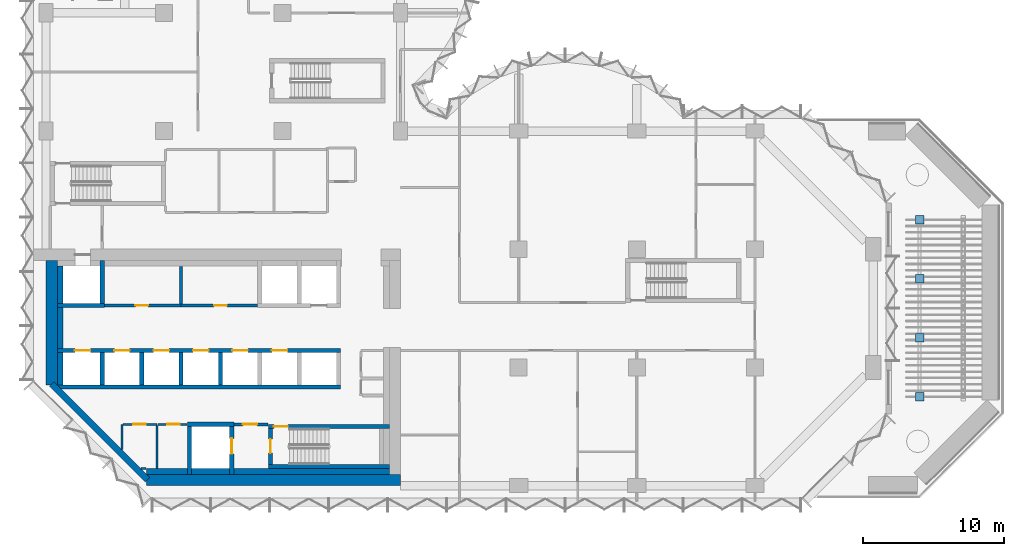
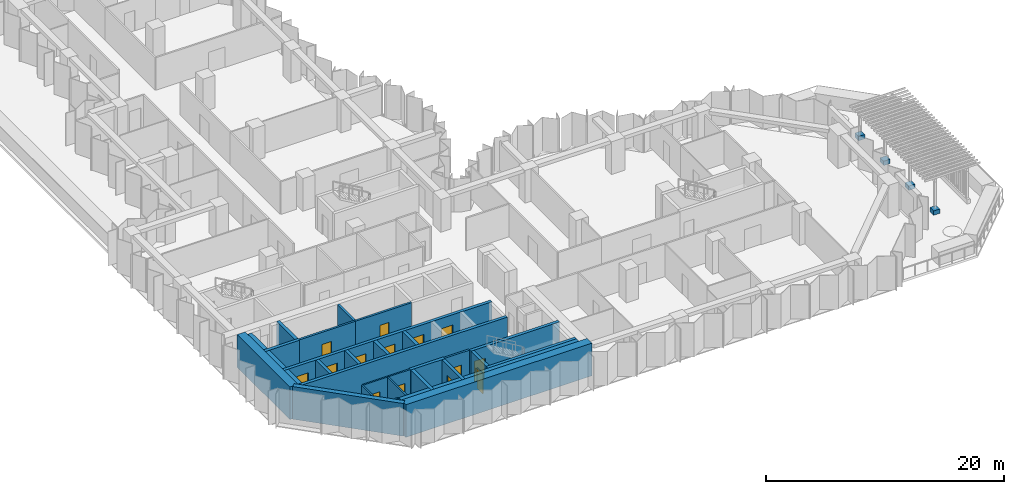
# One storey, part 10 of 18: 32 walls, 14 doors, 4 slabs, 14 openings.
"""IFC4 building model written with IfcOpenShell, lengths in metres."""

from ifc_helpers import new_model, si_unit, direction, frame, frame_2d, origin, place, context, subcontext, project, spatial, polyline, rectangle, outline, extrude, material, layer, layer_set, type_object, element, fill, save


model = new_model("IFC4")

# Units and contexts
model_context = context("Model", 3, precision=1e-05, world=origin(), true_north=direction((0.0, 1.0)))
body_context = subcontext(model_context, "Body", "Model", "MODEL_VIEW")
ifc_project = project(units=[si_unit("LENGTHUNIT", "METRE"), si_unit("AREAUNIT", "SQUARE_METRE"), si_unit("VOLUMEUNIT", "CUBIC_METRE"), si_unit("PLANEANGLEUNIT", "RADIAN"), si_unit("MASSUNIT", "GRAM", prefix="KILO")], contexts=[model_context])

# Site, building, storey
site_placement = place(None, origin())
site = spatial("IfcSite", under=ifc_project, at=site_placement, CompositionType="ELEMENT")
building_placement = place(site_placement, origin())
building = spatial("IfcBuilding", under=site, at=building_placement, Name="Brevane Broadcast Tower", CompositionType="ELEMENT")
storey_placement = place(building_placement, frame((0.0, 0.0, 134.89990234375)))
storey = spatial("IfcBuildingStorey", under=building, at=storey_placement, Name="L33", CompositionType="ELEMENT", Elevation=134.89990234375)

# Slabs
ifc_material_1 = material(Name="Concrete C30/37", Category="concrete")
ifc_layer_1 = layer(ifc_material_1, 0.449951171875)
ifc_layer_set_1 = layer_set([ifc_layer_1], Name="Sky garden trellis plinth 450")
slab_type = type_object("IfcSlabType", Name="Sky garden trellis plinth 450", PredefinedType="USERDEFINED", material=ifc_layer_set_1)
slab_1_placement = place(storey_placement, origin())
element("IfcSlab", 1, at=slab_1_placement, inside=storey, type_object=slab_type, Name="Sky garden trellis post plinth L33-1", ObjectType="PLINTH", PredefinedType="USERDEFINED", context=body_context, shape_type="SweptSolid", body=[
    extrude(outline(polyline([(61.800048828125, 6.0), (62.39990234375, 6.0), (62.39990234375, 6.60009765625), (61.800048828125, 6.60009765625), (61.800048828125, 6.0)])), origin(), (0.0, 0.0, 1.0), 0.4501953125),
])
slab_2_placement = place(storey_placement, origin())
element("IfcSlab", 2, at=slab_2_placement, inside=storey, type_object=slab_type, Name="Sky garden trellis post plinth L33-2", ObjectType="PLINTH", PredefinedType="USERDEFINED", context=body_context, shape_type="SweptSolid", body=[
    extrude(outline(polyline([(61.800048828125, 10.199951171875), (62.39990234375, 10.199951171875), (62.39990234375, 10.800048828125), (61.800048828125, 10.800048828125), (61.800048828125, 10.199951171875)])), origin(), (0.0, 0.0, 1.0), 0.4501953125),
])
slab_3_placement = place(storey_placement, origin())
element("IfcSlab", 3, at=slab_3_placement, inside=storey, type_object=slab_type, Name="Sky garden trellis post plinth L33-3", ObjectType="PLINTH", PredefinedType="USERDEFINED", context=body_context, shape_type="SweptSolid", body=[
    extrude(outline(polyline([(61.800048828125, 14.39990234375), (62.39990234375, 14.39990234375), (62.39990234375, 15.0), (61.800048828125, 15.0), (61.800048828125, 14.39990234375)])), origin(), (0.0, 0.0, 1.0), 0.4501953125),
])
slab_4_placement = place(storey_placement, origin())
element("IfcSlab", 4, at=slab_4_placement, inside=storey, type_object=slab_type, Name="Sky garden trellis post plinth L33-4", ObjectType="PLINTH", PredefinedType="USERDEFINED", context=body_context, shape_type="SweptSolid", body=[
    extrude(outline(polyline([(61.800048828125, 18.60009765625), (62.39990234375, 18.60009765625), (62.39990234375, 19.199951171875), (61.800048828125, 19.199951171875), (61.800048828125, 18.60009765625)])), origin(), (0.0, 0.0, 1.0), 0.4501953125),
])

# Walls
ifc_material_2 = material(Name="Concrete C32/40", Category="concrete")
ifc_layer_2 = layer(ifc_material_2, 0.39990234375)
ifc_layer_set_2 = layer_set([ifc_layer_2], Name="Core chase wall 400 mm")
wall_type_1 = type_object("IfcWallType", Name="Core chase wall 400 mm", PredefinedType="PARTITIONING", material=ifc_layer_set_2)
wall_1_placement = place(storey_placement, frame((1.0, 7.14990234375, 0.0), z_axis=(0.0, 0.0, 1.0), x_axis=(0.0, 1.0, 0.0)))
element("IfcWall", 5, at=wall_1_placement, inside=storey, type_object=wall_type_1, Name="L33 chase wall LW-2-1", PredefinedType="PARTITIONING", context=body_context, shape_type="SweptSolid", body=[
    extrude(rectangle(XDim=2.300048828125, YDim=0.39990234375, at=frame_2d((1.14990234375, 0.0))), origin(), (0.0, 0.0, 1.0), 3.35009765625),
])
wall_2_placement = place(storey_placement, frame((1.0, 9.75, 0.0), z_axis=(0.0, 0.0, 1.0), x_axis=(0.0, 1.0, 0.0)))
element("IfcWall", 6, at=wall_2_placement, inside=storey, type_object=wall_type_1, Name="L33 chase wall LW-2-2-1", PredefinedType="PARTITIONING", context=body_context, shape_type="SweptSolid", body=[
    extrude(rectangle(XDim=2.89990234375, YDim=0.39990234375, at=frame_2d((1.449951171875, 0.0))), origin(), (0.0, 0.0, 1.0), 3.35009765625),
])
wall_3_placement = place(storey_placement, frame((1.0, 12.949951171875, 0.0), z_axis=(0.0, 0.0, 1.0), x_axis=(0.0, 1.0, 0.0)))
element("IfcWall", 7, at=wall_3_placement, inside=storey, type_object=wall_type_1, Name="L33 chase wall LW-2-2-2", PredefinedType="PARTITIONING", context=body_context, shape_type="SweptSolid", body=[
    extrude(rectangle(XDim=2.650146484375, YDim=0.39990234375, at=frame_2d((1.3251953125, 0.0))), origin(), (0.0, 0.0, 1.0), 3.35009765625),
])
wall_4_placement = place(storey_placement, frame((7.136474609375, 1.0, 0.0), z_axis=(0.0, 0.0, 1.0), x_axis=(1.0, 0.0, 0.0)))
element("IfcWall", 8, at=wall_4_placement, inside=storey, type_object=wall_type_1, Name="L33 chase wall LS-1", PredefinedType="PARTITIONING", context=body_context, shape_type="SweptSolid", body=[
    extrude(rectangle(XDim=2.91357421875, YDim=0.39990234375, at=frame_2d((1.456787109375, 0.0))), origin(), (0.0, 0.0, 1.0), 3.35009765625),
])
wall_5_placement = place(storey_placement, frame((10.35009765625, 1.0, 0.0), z_axis=(0.0, 0.0, 1.0), x_axis=(1.0, 0.0, 0.0)))
element("IfcWall", 9, at=wall_5_placement, inside=storey, type_object=wall_type_1, Name="L33 chase wall LS-2-1", PredefinedType="PARTITIONING", context=body_context, shape_type="SweptSolid", body=[
    extrude(rectangle(XDim=2.699951171875, YDim=0.39990234375, at=frame_2d((1.35009765625, 0.0))), origin(), (0.0, 0.0, 1.0), 3.35009765625),
])
wall_6_placement = place(storey_placement, frame((13.35009765625, 1.0, 0.0), z_axis=(0.0, 0.0, 1.0), x_axis=(1.0, 0.0, 0.0)))
element("IfcWall", 10, at=wall_6_placement, inside=storey, type_object=wall_type_1, Name="L33 chase wall LS-2-2", PredefinedType="PARTITIONING", context=body_context, shape_type="SweptSolid", body=[
    extrude(rectangle(XDim=11.0498046875, YDim=0.39990234375, at=frame_2d((5.52490234375, 0.0))), origin(), (0.0, 0.0, 1.0), 3.35009765625),
])
ifc_material_3 = material(Name="Gypsum board on steel studs", Category="steel")
ifc_layer_3 = layer(ifc_material_3, 0.14990234375)
ifc_layer_set_3 = layer_set([ifc_layer_3], Name="Core fire partition 150 mm")
wall_type_2 = type_object("IfcWallType", Name="Core fire partition 150 mm", PredefinedType="PARTITIONING", material=ifc_layer_set_3)
wall_7_placement = place(storey_placement, frame((5.39990234375, 2.553466796875, 0.0), z_axis=(0.0, 0.0, 1.0), x_axis=(0.0, 1.0, 0.0)))
element("IfcWall", 11, at=wall_7_placement, inside=storey, type_object=wall_type_2, Name="L33 partition wall P10", PredefinedType="PARTITIONING", context=body_context, shape_type="SweptSolid", body=[
    extrude(rectangle(XDim=1.796630859375, YDim=0.14990234375, at=frame_2d((0.8984375, 0.0))), origin(), (0.0, 0.0, 1.0), 3.35009765625),
])

# Wall, opening, door
wall_8_placement = place(storey_placement, frame((5.47509765625, 4.35009765625, 0.0), z_axis=(0.0, 0.0, 1.0), x_axis=(1.0, 0.0, 0.0)))
wall_8 = element("IfcWall", 12, at=wall_8_placement, inside=storey, type_object=wall_type_2, Name="L33 partition wall P11", PredefinedType="PARTITIONING", context=body_context, shape_type="SweptSolid", body=[
    extrude(rectangle(XDim=2.4248046875, YDim=0.14990234375, at=frame_2d((1.21240234375, 0.0))), origin(), (0.0, 0.0, 1.0), 3.35009765625),
])
opening_1_placement = place(wall_8_placement, frame((0.72509765625, 0.0, 0.0)))
opening_1 = element("IfcOpeningElement", 13, at=opening_1_placement, cuts=wall_8, Name="Opening L33-K16", PredefinedType="OPENING", context=body_context, shape_type="SweptSolid", body=[
    extrude(rectangle(XDim=0.89990234375, YDim=2.10009765625, at=frame_2d((0.449951171875, 1.050048828125))), frame((0.0, 0.0849609375, 0.0), z_axis=(0.0, -1.0, 0.0), x_axis=(1.0, 0.0, 0.0)), (0.0, 0.0, 1.0), 0.169921875),
])
ifc_material_4 = material(Name="Timber", Category="wood")
door_type_1 = type_object("IfcDoorType", Name="Toilet door 900 x 2100", OperationType="SINGLE_SWING_LEFT", PredefinedType="DOOR", material=ifc_material_4)
door_1_placement = place(opening_1_placement, origin())
door_1 = element("IfcDoor", 14, at=door_1_placement, inside=storey, type_object=door_type_1, Name="Door L33-K16", OperationType="SINGLE_SWING_RIGHT", OverallHeight=2.10009765625, OverallWidth=0.89990234375, PredefinedType="DOOR", context=body_context, shape_type="SweptSolid", body=[
    extrude(rectangle(XDim=0.89990234375, YDim=2.10009765625, at=frame_2d((0.449951171875, 1.050048828125))), frame((0.0, 0.02490234375, 0.0), z_axis=(0.0, -1.0, 0.0), x_axis=(1.0, 0.0, 0.0)), (0.0, 0.0, 1.0), 0.050048828125),
])
fill(opening_1, door_1)

# Walls
wall_9_placement = place(storey_placement, frame((7.89990234375, 4.27490234375, 0.0), z_axis=(0.0, 0.0, 1.0), x_axis=(0.0, -1.0, 0.0)))
element("IfcWall", 15, at=wall_9_placement, inside=storey, type_object=wall_type_2, Name="L33 partition wall P12", PredefinedType="PARTITIONING", context=body_context, shape_type="SweptSolid", body=[
    extrude(rectangle(XDim=3.06298828125, YDim=0.14990234375, at=frame_2d((1.531494140625, 0.0))), origin(), (0.0, 0.0, 1.0), 3.35009765625),
])
wall_10_placement = place(storey_placement, frame((7.12451171875, 1.199951171875, 0.0), z_axis=(0.0, 0.0, 1.0), x_axis=(-1.0, 0.0, 0.0)))
element("IfcWall", 16, at=wall_10_placement, inside=storey, type_object=wall_type_2, Name="L33 partition wall P13", PredefinedType="PARTITIONING", context=body_context, shape_type="SweptSolid", body=[
    extrude(rectangle(XDim=0.37109375, YDim=0.14990234375, at=frame_2d((0.185546875, 0.0))), origin(), (0.0, 0.0, 1.0), 3.35009765625),
])

# Wall, opening, door
wall_11_placement = place(storey_placement, frame((10.0380859375, 4.35009765625, 0.0), z_axis=(0.0, 0.0, 1.0), x_axis=(-1.0, 0.0, 0.0)))
wall_11 = element("IfcWall", 17, at=wall_11_placement, inside=storey, type_object=wall_type_2, Name="L33 partition wall P14", PredefinedType="PARTITIONING", context=body_context, shape_type="SweptSolid", body=[
    extrude(rectangle(XDim=2.06298828125, YDim=0.14990234375, at=frame_2d((1.031494140625, 0.0))), origin(), (0.0, 0.0, 1.0), 3.35009765625),
])
opening_2_placement = place(wall_11_placement, frame((0.5380859375, 0.0, 0.0)))
opening_2 = element("IfcOpeningElement", 18, at=opening_2_placement, cuts=wall_11, Name="Opening L33-K17", PredefinedType="OPENING", context=body_context, shape_type="SweptSolid", body=[
    extrude(rectangle(XDim=0.89990234375, YDim=2.10009765625, at=frame_2d((0.449951171875, 1.050048828125))), frame((0.0, 0.0849609375, 0.0), z_axis=(0.0, -1.0, 0.0), x_axis=(1.0, 0.0, 0.0)), (0.0, 0.0, 1.0), 0.169921875),
])
door_2_placement = place(opening_2_placement, origin())
door_2 = element("IfcDoor", 19, at=door_2_placement, inside=storey, type_object=door_type_1, Name="Door L33-K17", OperationType="SINGLE_SWING_LEFT", OverallHeight=2.10009765625, OverallWidth=0.89990234375, PredefinedType="DOOR", context=body_context, shape_type="SweptSolid", body=[
    extrude(rectangle(XDim=0.89990234375, YDim=2.10009765625, at=frame_2d((0.449951171875, 1.050048828125))), frame((0.0, 0.02490234375, 0.0), z_axis=(0.0, -1.0, 0.0), x_axis=(1.0, 0.0, 0.0)), (0.0, 0.0, 1.0), 0.050048828125),
])
fill(opening_2, door_2)

ifc_layer_4 = layer(ifc_material_3, 0.199951171875)
ifc_layer_set_4 = layer_set([ifc_layer_4], Name="Core fire partition 200 mm")
wall_type_3 = type_object("IfcWallType", Name="Core fire partition 200 mm", PredefinedType="PARTITIONING", material=ifc_layer_set_4)
wall_12_placement = place(storey_placement, frame((13.362060546875, 4.35009765625, 0.0), z_axis=(0.0, 0.0, 1.0), x_axis=(1.0, 0.0, 0.0)))
wall_12 = element("IfcWall", 20, at=wall_12_placement, inside=storey, type_object=wall_type_3, Name="L33 partition wall P03", PredefinedType="PARTITIONING", context=body_context, shape_type="SweptSolid", body=[
    extrude(rectangle(XDim=2.426025390625, YDim=0.199951171875, at=frame_2d((1.212890625, 0.0))), origin(), (0.0, 0.0, 1.0), 3.35009765625),
])
opening_3_placement = place(wall_12_placement, frame((0.637939453125, 0.0, 0.0)))
opening_3 = element("IfcOpeningElement", 21, at=opening_3_placement, cuts=wall_12, Name="Opening L33-K18", PredefinedType="OPENING", context=body_context, shape_type="SweptSolid", body=[
    extrude(rectangle(XDim=1.0, YDim=2.10009765625, at=frame_2d((0.5, 1.050048828125))), frame((0.0, 0.10986328125, 0.0), z_axis=(0.0, -1.0, 0.0), x_axis=(1.0, 0.0, 0.0)), (0.0, 0.0, 1.0), 0.219970703125),
])
ifc_material_5 = material(Name="Steel", Category="steel")
door_type_2 = type_object("IfcDoorType", Name="Stair door 1000 x 2100", OperationType="SINGLE_SWING_LEFT", PredefinedType="DOOR", material=ifc_material_5)
door_3_placement = place(opening_3_placement, origin())
door_3 = element("IfcDoor", 22, at=door_3_placement, inside=storey, type_object=door_type_2, Name="Door L33-K18", OperationType="SINGLE_SWING_RIGHT", OverallHeight=2.10009765625, OverallWidth=1.0, PredefinedType="DOOR", context=body_context, shape_type="SweptSolid", body=[
    extrude(rectangle(XDim=1.0, YDim=2.10009765625, at=frame_2d((0.5, 1.050048828125))), frame((0.0, 0.02490234375, 0.0), z_axis=(0.0, -1.0, 0.0), x_axis=(1.0, 0.0, 0.0)), (0.0, 0.0, 1.0), 0.050048828125),
])
fill(opening_3, door_3)

wall_13_placement = place(storey_placement, frame((4.162109375, 12.800048828125, 0.0), z_axis=(0.0, 0.0, 1.0), x_axis=(1.0, 0.0, 0.0)))
wall_13 = element("IfcWall", 23, at=wall_13_placement, inside=storey, type_object=wall_type_3, Name="L33 partition wall P04", PredefinedType="PARTITIONING", context=body_context, shape_type="SweptSolid", body=[
    extrude(rectangle(XDim=5.43798828125, YDim=0.199951171875, at=frame_2d((2.718994140625, 0.0))), origin(), (0.0, 0.0, 1.0), 3.35009765625),
])
opening_4_placement = place(wall_13_placement, frame((2.18798828125, 0.0, 0.0)))
opening_4 = element("IfcOpeningElement", 24, at=opening_4_placement, cuts=wall_13, Name="Opening L33-K21", PredefinedType="OPENING", context=body_context, shape_type="SweptSolid", body=[
    extrude(rectangle(XDim=0.89990234375, YDim=2.10009765625, at=frame_2d((0.449951171875, 1.050048828125))), frame((0.0, 0.10986328125, 0.0), z_axis=(0.0, -1.0, 0.0), x_axis=(1.0, 0.0, 0.0)), (0.0, 0.0, 1.0), 0.219970703125),
])
door_type_3 = type_object("IfcDoorType", Name="Service room door 900 x 2100", OperationType="SINGLE_SWING_LEFT", PredefinedType="DOOR", material=ifc_material_5)
door_4_placement = place(opening_4_placement, origin())
door_4 = element("IfcDoor", 25, at=door_4_placement, inside=storey, type_object=door_type_3, Name="Door L33-K21", OperationType="SINGLE_SWING_LEFT", OverallHeight=2.10009765625, OverallWidth=0.89990234375, PredefinedType="DOOR", context=body_context, shape_type="SweptSolid", body=[
    extrude(rectangle(XDim=0.89990234375, YDim=2.10009765625, at=frame_2d((0.449951171875, 1.050048828125))), frame((0.0, 0.02490234375, 0.0), z_axis=(0.0, -1.0, 0.0), x_axis=(1.0, 0.0, 0.0)), (0.0, 0.0, 1.0), 0.050048828125),
])
fill(opening_4, door_4)

wall_14_placement = place(storey_placement, frame((9.60009765625, 12.800048828125, 0.0), z_axis=(0.0, 0.0, 1.0), x_axis=(1.0, 0.0, 0.0)))
wall_14 = element("IfcWall", 26, at=wall_14_placement, inside=storey, type_object=wall_type_3, Name="L33 partition wall P05", PredefinedType="PARTITIONING", context=body_context, shape_type="SweptSolid", body=[
    extrude(rectangle(XDim=5.43798828125, YDim=0.199951171875, at=frame_2d((2.718994140625, 0.0))), origin(), (0.0, 0.0, 1.0), 3.35009765625),
])
opening_5_placement = place(wall_14_placement, frame((2.35009765625, 0.0, 0.0)))
opening_5 = element("IfcOpeningElement", 27, at=opening_5_placement, cuts=wall_14, Name="Opening L33-K22", PredefinedType="OPENING", context=body_context, shape_type="SweptSolid", body=[
    extrude(rectangle(XDim=0.89990234375, YDim=2.10009765625, at=frame_2d((0.449951171875, 1.050048828125))), frame((0.0, 0.10986328125, 0.0), z_axis=(0.0, -1.0, 0.0), x_axis=(1.0, 0.0, 0.0)), (0.0, 0.0, 1.0), 0.219970703125),
])
door_5_placement = place(opening_5_placement, origin())
door_5 = element("IfcDoor", 28, at=door_5_placement, inside=storey, type_object=door_type_3, Name="Door L33-K22", OperationType="SINGLE_SWING_RIGHT", OverallHeight=2.10009765625, OverallWidth=0.89990234375, PredefinedType="DOOR", context=body_context, shape_type="SweptSolid", body=[
    extrude(rectangle(XDim=0.89990234375, YDim=2.10009765625, at=frame_2d((0.449951171875, 1.050048828125))), frame((0.0, 0.02490234375, 0.0), z_axis=(0.0, -1.0, 0.0), x_axis=(1.0, 0.0, 0.0)), (0.0, 0.0, 1.0), 0.050048828125),
])
fill(opening_5, door_5)

# Walls
wall_15_placement = place(storey_placement, frame((9.60009765625, 15.587890625, 0.0), z_axis=(0.0, 0.0, 1.0), x_axis=(0.0, -1.0, 0.0)))
element("IfcWall", 29, at=wall_15_placement, inside=storey, type_object=wall_type_3, Name="L33 partition wall P06", PredefinedType="PARTITIONING", context=body_context, shape_type="SweptSolid", body=[
    extrude(rectangle(XDim=2.68798828125, YDim=0.199951171875, at=frame_2d((1.343994140625, 0.0))), origin(), (0.0, 0.0, 1.0), 3.35009765625),
])
ifc_material_6 = material(Name="Concrete C60/75", Category="concrete")
ifc_layer_5 = layer(ifc_material_6, 0.300048828125)
ifc_layer_set_5 = layer_set([ifc_layer_5], Name="Core wall 300 mm C60/75")
wall_type_4 = type_object("IfcWallType", Name="Core wall 300 mm C60/75", PredefinedType="SHEAR", material=ifc_layer_set_5)
wall_16_placement = place(storey_placement, frame((0.800048828125, 7.0, 0.0), z_axis=(0.0, 0.0, 1.0), x_axis=(1.0, 0.0, 0.0)))
element("IfcWall", 30, at=wall_16_placement, inside=storey, type_object=wall_type_4, Name="L33 shaft wall SH-S012-back", PredefinedType="SHEAR", context=body_context, shape_type="SweptSolid", body=[
    extrude(rectangle(XDim=20.14990234375, YDim=0.300048828125, at=frame_2d((10.074951171875, 0.0))), origin(), (0.0, 0.0, 1.0), 3.35009765625),
])

# Wall, openings, doors
wall_17_placement = place(storey_placement, frame((0.800048828125, 9.60009765625, 0.0), z_axis=(0.0, 0.0, 1.0), x_axis=(1.0, 0.0, 0.0)))
wall_17 = element("IfcWall", 31, at=wall_17_placement, inside=storey, type_object=wall_type_4, Name="L33 shaft wall SH-S012-front", PredefinedType="SHEAR", context=body_context, shape_type="SweptSolid", body=[
    extrude(rectangle(XDim=20.14990234375, YDim=0.300048828125, at=frame_2d((10.074951171875, 0.0))), origin(), (0.0, 0.0, 1.0), 3.35009765625),
])
opening_6_placement = place(wall_17_placement, frame((1.25, 0.0, 0.0)))
opening_6 = element("IfcOpeningElement", 32, at=opening_6_placement, cuts=wall_17, Name="Opening LD", PredefinedType="OPENING", context=body_context, shape_type="SweptSolid", body=[
    extrude(rectangle(XDim=1.10009765625, YDim=2.300048828125, at=frame_2d((0.550048828125, 1.14990234375))), frame((0.0, 0.159912109375, 0.0), z_axis=(0.0, -1.0, 0.0), x_axis=(1.0, 0.0, 0.0)), (0.0, 0.0, 1.0), 0.320068359375),
])
opening_7_placement = place(wall_17_placement, frame((4.050048828125, 0.0, 0.0)))
opening_7 = element("IfcOpeningElement", 33, at=opening_7_placement, cuts=wall_17, Name="Opening LD", PredefinedType="OPENING", context=body_context, shape_type="SweptSolid", body=[
    extrude(rectangle(XDim=1.10009765625, YDim=2.300048828125, at=frame_2d((0.550048828125, 1.14990234375))), frame((0.0, 0.159912109375, 0.0), z_axis=(0.0, -1.0, 0.0), x_axis=(1.0, 0.0, 0.0)), (0.0, 0.0, 1.0), 0.320068359375),
])
opening_8_placement = place(wall_17_placement, frame((6.85009765625, 0.0, 0.0)))
opening_8 = element("IfcOpeningElement", 34, at=opening_8_placement, cuts=wall_17, Name="Opening LD", PredefinedType="OPENING", context=body_context, shape_type="SweptSolid", body=[
    extrude(rectangle(XDim=1.10009765625, YDim=2.300048828125, at=frame_2d((0.550048828125, 1.14990234375))), frame((0.0, 0.159912109375, 0.0), z_axis=(0.0, -1.0, 0.0), x_axis=(1.0, 0.0, 0.0)), (0.0, 0.0, 1.0), 0.320068359375),
])
opening_9_placement = place(wall_17_placement, frame((9.64990234375, 0.0, 0.0)))
opening_9 = element("IfcOpeningElement", 35, at=opening_9_placement, cuts=wall_17, Name="Opening LD", PredefinedType="OPENING", context=body_context, shape_type="SweptSolid", body=[
    extrude(rectangle(XDim=1.10009765625, YDim=2.300048828125, at=frame_2d((0.550048828125, 1.14990234375))), frame((0.0, 0.159912109375, 0.0), z_axis=(0.0, -1.0, 0.0), x_axis=(1.0, 0.0, 0.0)), (0.0, 0.0, 1.0), 0.320068359375),
])
opening_10_placement = place(wall_17_placement, frame((12.449951171875, 0.0, 0.0)))
opening_10 = element("IfcOpeningElement", 36, at=opening_10_placement, cuts=wall_17, Name="Opening LD", PredefinedType="OPENING", context=body_context, shape_type="SweptSolid", body=[
    extrude(rectangle(XDim=1.10009765625, YDim=2.300048828125, at=frame_2d((0.550048828125, 1.14990234375))), frame((0.0, 0.159912109375, 0.0), z_axis=(0.0, -1.0, 0.0), x_axis=(1.0, 0.0, 0.0)), (0.0, 0.0, 1.0), 0.320068359375),
])
opening_11_placement = place(wall_17_placement, frame((15.25, 0.0, 0.0)))
opening_11 = element("IfcOpeningElement", 37, at=opening_11_placement, cuts=wall_17, Name="Opening LD", PredefinedType="OPENING", context=body_context, shape_type="SweptSolid", body=[
    extrude(rectangle(XDim=1.10009765625, YDim=2.300048828125, at=frame_2d((0.550048828125, 1.14990234375))), frame((0.0, 0.159912109375, 0.0), z_axis=(0.0, -1.0, 0.0), x_axis=(1.0, 0.0, 0.0)), (0.0, 0.0, 1.0), 0.320068359375),
])
ifc_material_7 = material(Name="Stainless steel", Category="steel")
door_type_4 = type_object("IfcDoorType", Name="Lift landing door", OperationType="SLIDING_TO_LEFT", PredefinedType="DOOR", material=ifc_material_7)
door_6_placement = place(opening_6_placement, origin())
door_6 = element("IfcDoor", 38, at=door_6_placement, inside=storey, type_object=door_type_4, Name="Landing door LR1 L33", OperationType="SLIDING_TO_LEFT", OverallHeight=2.300048828125, OverallWidth=1.10009765625, PredefinedType="DOOR", context=body_context, shape_type="SweptSolid", body=[
    extrude(rectangle(XDim=1.10009765625, YDim=2.300048828125, at=frame_2d((0.550048828125, 1.14990234375))), frame((0.0, 0.02490234375, 0.0), z_axis=(0.0, -1.0, 0.0), x_axis=(1.0, 0.0, 0.0)), (0.0, 0.0, 1.0), 0.050048828125),
])
fill(opening_6, door_6)
door_7_placement = place(opening_7_placement, origin())
door_7 = element("IfcDoor", 39, at=door_7_placement, inside=storey, type_object=door_type_4, Name="Landing door LR2 L33", OperationType="SLIDING_TO_LEFT", OverallHeight=2.300048828125, OverallWidth=1.10009765625, PredefinedType="DOOR", context=body_context, shape_type="SweptSolid", body=[
    extrude(rectangle(XDim=1.10009765625, YDim=2.300048828125, at=frame_2d((0.550048828125, 1.14990234375))), frame((0.0, 0.02490234375, 0.0), z_axis=(0.0, -1.0, 0.0), x_axis=(1.0, 0.0, 0.0)), (0.0, 0.0, 1.0), 0.050048828125),
])
fill(opening_7, door_7)
door_8_placement = place(opening_8_placement, origin())
door_8 = element("IfcDoor", 40, at=door_8_placement, inside=storey, type_object=door_type_4, Name="Landing door LR3 L33", OperationType="SLIDING_TO_LEFT", OverallHeight=2.300048828125, OverallWidth=1.10009765625, PredefinedType="DOOR", context=body_context, shape_type="SweptSolid", body=[
    extrude(rectangle(XDim=1.10009765625, YDim=2.300048828125, at=frame_2d((0.550048828125, 1.14990234375))), frame((0.0, 0.02490234375, 0.0), z_axis=(0.0, -1.0, 0.0), x_axis=(1.0, 0.0, 0.0)), (0.0, 0.0, 1.0), 0.050048828125),
])
fill(opening_8, door_8)
door_9_placement = place(opening_9_placement, origin())
door_9 = element("IfcDoor", 41, at=door_9_placement, inside=storey, type_object=door_type_4, Name="Landing door LR4 L33", OperationType="SLIDING_TO_LEFT", OverallHeight=2.300048828125, OverallWidth=1.10009765625, PredefinedType="DOOR", context=body_context, shape_type="SweptSolid", body=[
    extrude(rectangle(XDim=1.10009765625, YDim=2.300048828125, at=frame_2d((0.550048828125, 1.14990234375))), frame((0.0, 0.02490234375, 0.0), z_axis=(0.0, -1.0, 0.0), x_axis=(1.0, 0.0, 0.0)), (0.0, 0.0, 1.0), 0.050048828125),
])
fill(opening_9, door_9)
door_10_placement = place(opening_10_placement, origin())
door_10 = element("IfcDoor", 42, at=door_10_placement, inside=storey, type_object=door_type_4, Name="Landing door LR5 L33", OperationType="SLIDING_TO_LEFT", OverallHeight=2.300048828125, OverallWidth=1.10009765625, PredefinedType="DOOR", context=body_context, shape_type="SweptSolid", body=[
    extrude(rectangle(XDim=1.10009765625, YDim=2.300048828125, at=frame_2d((0.550048828125, 1.14990234375))), frame((0.0, 0.02490234375, 0.0), z_axis=(0.0, -1.0, 0.0), x_axis=(1.0, 0.0, 0.0)), (0.0, 0.0, 1.0), 0.050048828125),
])
fill(opening_10, door_10)
door_11_placement = place(opening_11_placement, origin())
door_11 = element("IfcDoor", 43, at=door_11_placement, inside=storey, type_object=door_type_4, Name="Landing door LR6 L33", OperationType="SLIDING_TO_LEFT", OverallHeight=2.300048828125, OverallWidth=1.10009765625, PredefinedType="DOOR", context=body_context, shape_type="SweptSolid", body=[
    extrude(rectangle(XDim=1.10009765625, YDim=2.300048828125, at=frame_2d((0.550048828125, 1.14990234375))), frame((0.0, 0.02490234375, 0.0), z_axis=(0.0, -1.0, 0.0), x_axis=(1.0, 0.0, 0.0)), (0.0, 0.0, 1.0), 0.050048828125),
])
fill(opening_11, door_11)

# Walls
for number, where, z_axis, x_axis, name in (
    (44, (4.0, 7.14990234375, 0.0), (0.0, 0.0, 1.0), (0.0, 1.0, 0.0), "L33 shaft wall SH-S-P040"),
    (45, (6.800048828125, 7.14990234375, 0.0), (0.0, 0.0, 1.0), (0.0, 1.0, 0.0), "L33 shaft wall SH-S-P068"),
    (46, (9.60009765625, 7.14990234375, 0.0), (0.0, 0.0, 1.0), (0.0, 1.0, 0.0), "L33 shaft wall SH-S-P096"),
    (47, (12.39990234375, 7.14990234375, 0.0), (0.0, 0.0, 1.0), (0.0, 1.0, 0.0), "L33 shaft wall SH-S-P124"),
):
    element("IfcWall", number, at=place(storey_placement, frame(where, z_axis=z_axis, x_axis=x_axis)), inside=storey, type_object=wall_type_4, Name=name, PredefinedType="SHEAR", context=body_context, shape_type="SweptSolid", body=[
        extrude(rectangle(XDim=2.300048828125, YDim=0.300048828125, at=frame_2d((1.14990234375, 0.0))), origin(), (0.0, 0.0, 1.0), 3.35009765625),
    ])
wall_18_placement = place(storey_placement, frame((0.800048828125, 12.800048828125, 0.0), z_axis=(0.0, 0.0, 1.0), x_axis=(1.0, 0.0, 0.0)))
element("IfcWall", 48, at=wall_18_placement, inside=storey, type_object=wall_type_4, Name="L33 shaft wall SH-N012-front", PredefinedType="SHEAR", context=body_context, shape_type="SweptSolid", body=[
    extrude(rectangle(XDim=3.349853515625, YDim=0.300048828125, at=frame_2d((1.6748046875, 0.0))), origin(), (0.0, 0.0, 1.0), 3.35009765625),
])
wall_19_placement = place(storey_placement, frame((4.0, 12.949951171875, 0.0), z_axis=(0.0, 0.0, 1.0), x_axis=(0.0, 1.0, 0.0)))
element("IfcWall", 49, at=wall_19_placement, inside=storey, type_object=wall_type_4, Name="L33 shaft wall SH-N-P040", PredefinedType="SHEAR", context=body_context, shape_type="SweptSolid", body=[
    extrude(rectangle(XDim=3.050048828125, YDim=0.300048828125, at=frame_2d((1.52490234375, 0.0))), origin(), (0.0, 0.0, 1.0), 3.35009765625),
])
wall_20_placement = place(storey_placement, frame((10.199951171875, 0.800048828125, 0.0), z_axis=(0.0, 0.0, 1.0), x_axis=(0.0, 1.0, 0.0)))
element("IfcWall", 50, at=wall_20_placement, inside=storey, type_object=wall_type_4, Name="L33 shaft wall FF2-W", PredefinedType="SHEAR", context=body_context, shape_type="SweptSolid", body=[
    extrude(rectangle(XDim=3.39990234375, YDim=0.300048828125, at=frame_2d((1.699951171875, 0.0))), origin(), (0.0, 0.0, 1.0), 3.35009765625),
])

# Wall, opening, door
wall_21_placement = place(storey_placement, frame((13.199951171875, 0.800048828125, 0.0), z_axis=(0.0, 0.0, 1.0), x_axis=(0.0, 1.0, 0.0)))
wall_21 = element("IfcWall", 51, at=wall_21_placement, inside=storey, type_object=wall_type_4, Name="L33 shaft wall FF2-E", PredefinedType="SHEAR", context=body_context, shape_type="SweptSolid", body=[
    extrude(rectangle(XDim=3.39990234375, YDim=0.300048828125, at=frame_2d((1.699951171875, 0.0))), origin(), (0.0, 0.0, 1.0), 3.35009765625),
])
opening_12_placement = place(wall_21_placement, frame((1.449951171875, 0.0, 0.0)))
opening_12 = element("IfcOpeningElement", 52, at=opening_12_placement, cuts=wall_21, Name="Opening LD", PredefinedType="OPENING", context=body_context, shape_type="SweptSolid", body=[
    extrude(rectangle(XDim=1.10009765625, YDim=2.300048828125, at=frame_2d((0.550048828125, 1.14990234375))), frame((0.0, 0.159912109375, 0.0), z_axis=(0.0, -1.0, 0.0), x_axis=(1.0, 0.0, 0.0)), (0.0, 0.0, 1.0), 0.320068359375),
])
door_12_placement = place(opening_12_placement, origin())
door_12 = element("IfcDoor", 53, at=door_12_placement, inside=storey, type_object=door_type_4, Name="Landing door FF2 L33", OperationType="SLIDING_TO_LEFT", OverallHeight=2.300048828125, OverallWidth=1.10009765625, PredefinedType="DOOR", context=body_context, shape_type="SweptSolid", body=[
    extrude(rectangle(XDim=1.10009765625, YDim=2.300048828125, at=frame_2d((0.550048828125, 1.14990234375))), frame((0.0, 0.02490234375, 0.0), z_axis=(0.0, -1.0, 0.0), x_axis=(1.0, 0.0, 0.0)), (0.0, 0.0, 1.0), 0.050048828125),
])
fill(opening_12, door_12)

# Walls
wall_22_placement = place(storey_placement, frame((10.050048828125, 4.35009765625, 0.0), z_axis=(0.0, 0.0, 1.0), x_axis=(1.0, 0.0, 0.0)))
element("IfcWall", 54, at=wall_22_placement, inside=storey, type_object=wall_type_4, Name="L33 shaft wall FF2-N", PredefinedType="SHEAR", context=body_context, shape_type="SweptSolid", body=[
    extrude(rectangle(XDim=3.300048828125, YDim=0.300048828125, at=frame_2d((1.64990234375, 0.0))), origin(), (0.0, 0.0, 1.0), 3.35009765625),
])
wall_23_placement = place(storey_placement, frame((15.800048828125, 1.35009765625, 0.0), z_axis=(0.0, 0.0, 1.0), x_axis=(1.0, 0.0, 0.0)))
element("IfcWall", 55, at=wall_23_placement, inside=storey, type_object=wall_type_4, Name="L33 stair wall ST-2-S", PredefinedType="SHEAR", context=body_context, shape_type="SweptSolid", body=[
    extrude(rectangle(XDim=8.599853515625, YDim=0.300048828125, at=frame_2d((4.2998046875, 0.0))), origin(), (0.0, 0.0, 1.0), 3.35009765625),
])

# Wall, opening, door
wall_24_placement = place(storey_placement, frame((15.800048828125, 4.199951171875, 0.0), z_axis=(0.0, 0.0, 1.0), x_axis=(1.0, 0.0, 0.0)))
wall_24 = element("IfcWall", 56, at=wall_24_placement, inside=storey, type_object=wall_type_4, Name="L33 stair wall ST-2-N", PredefinedType="SHEAR", context=body_context, shape_type="SweptSolid", body=[
    extrude(rectangle(XDim=8.599853515625, YDim=0.300048828125, at=frame_2d((4.2998046875, 0.0))), origin(), (0.0, 0.0, 1.0), 3.35009765625),
])
opening_13_placement = place(wall_24_placement, frame((0.39990234375, 0.0, 0.0)))
opening_13 = element("IfcOpeningElement", 57, at=opening_13_placement, cuts=wall_24, Name="Opening L33-K13", PredefinedType="OPENING", context=body_context, shape_type="SweptSolid", body=[
    extrude(rectangle(XDim=1.0, YDim=2.10009765625, at=frame_2d((0.5, 1.050048828125))), frame((0.0, 0.159912109375, 0.0), z_axis=(0.0, -1.0, 0.0), x_axis=(1.0, 0.0, 0.0)), (0.0, 0.0, 1.0), 0.320068359375),
])
door_13_placement = place(opening_13_placement, origin())
door_13 = element("IfcDoor", 58, at=door_13_placement, inside=storey, type_object=door_type_2, Name="Door L33-K13", OperationType="SINGLE_SWING_LEFT", OverallHeight=2.10009765625, OverallWidth=1.0, PredefinedType="DOOR", context=body_context, shape_type="SweptSolid", body=[
    extrude(rectangle(XDim=1.0, YDim=2.10009765625, at=frame_2d((0.5, 1.050048828125))), frame((0.0, 0.02490234375, 0.0), z_axis=(0.0, -1.0, 0.0), x_axis=(1.0, 0.0, 0.0)), (0.0, 0.0, 1.0), 0.050048828125),
])
fill(opening_13, door_13)

wall_25_placement = place(storey_placement, frame((15.949951171875, 1.5, 0.0), z_axis=(0.0, 0.0, 1.0), x_axis=(0.0, 1.0, 0.0)))
wall_25 = element("IfcWall", 59, at=wall_25_placement, inside=storey, type_object=wall_type_4, Name="L33 stair wall ST-2-W", PredefinedType="SHEAR", context=body_context, shape_type="SweptSolid", body=[
    extrude(rectangle(XDim=2.550048828125, YDim=0.300048828125, at=frame_2d((1.27490234375, 0.0))), origin(), (0.0, 0.0, 1.0), 3.35009765625),
])
opening_14_placement = place(wall_25_placement, frame((0.800048828125, 0.0, 0.0)))
opening_14 = element("IfcOpeningElement", 60, at=opening_14_placement, cuts=wall_25, Name="Opening L33-K12", PredefinedType="OPENING", context=body_context, shape_type="SweptSolid", body=[
    extrude(rectangle(XDim=1.0, YDim=2.10009765625, at=frame_2d((0.5, 1.050048828125))), frame((0.0, 0.159912109375, 0.0), z_axis=(0.0, -1.0, 0.0), x_axis=(1.0, 0.0, 0.0)), (0.0, 0.0, 1.0), 0.320068359375),
])
door_14_placement = place(opening_14_placement, origin())
door_14 = element("IfcDoor", 61, at=door_14_placement, inside=storey, type_object=door_type_2, Name="Door L33-K12", OperationType="SINGLE_SWING_RIGHT", OverallHeight=2.10009765625, OverallWidth=1.0, PredefinedType="DOOR", context=body_context, shape_type="SweptSolid", body=[
    extrude(rectangle(XDim=1.0, YDim=2.10009765625, at=frame_2d((0.5, 1.050048828125))), frame((0.0, 0.02490234375, 0.0), z_axis=(0.0, -1.0, 0.0), x_axis=(1.0, 0.0, 0.0)), (0.0, 0.0, 1.0), 0.050048828125),
])
fill(opening_14, door_14)

# Walls
ifc_layer_6 = layer(ifc_material_6, 0.449951171875)
ifc_layer_set_6 = layer_set([ifc_layer_6], Name="Core wall 450 mm C60/75")
wall_type_5 = type_object("IfcWallType", Name="Core wall 450 mm C60/75", PredefinedType="SHEAR", material=ifc_layer_set_6)
wall_26_placement = place(storey_placement, frame((0.39990234375, 7.21826171875, 0.0), z_axis=(0.0, 0.0, 1.0), x_axis=(0.707106781187, -0.707106781187, 0.0)))
element("IfcWall", 62, at=wall_26_placement, inside=storey, type_object=wall_type_5, Name="L33 outer wall WC", PredefinedType="SHEAR", context=body_context, shape_type="SweptSolid", body=[
    extrude(rectangle(XDim=9.642578125, YDim=0.449951171875, at=frame_2d((4.8212890625, 0.0))), origin(), (0.0, 0.0, 1.0), 3.35009765625),
])
ifc_layer_7 = layer(ifc_material_6, 0.800048828125)
ifc_layer_set_7 = layer_set([ifc_layer_7], Name="Core wall 800 mm C60/75")
wall_type_6 = type_object("IfcWallType", Name="Core wall 800 mm C60/75", PredefinedType="SHEAR", material=ifc_layer_set_7)
wall_27_placement = place(storey_placement, frame((7.136474609375, 0.39990234375, 0.0), z_axis=(0.0, 0.0, 1.0), x_axis=(1.0, 0.0, 0.0)))
element("IfcWall", 63, at=wall_27_placement, inside=storey, type_object=wall_type_6, Name="L33 outer wall WS", PredefinedType="SHEAR", context=body_context, shape_type="SweptSolid", body=[
    extrude(rectangle(XDim=18.0634765625, YDim=0.800048828125, at=frame_2d((9.03173828125, 0.0))), origin(), (0.0, 0.0, 1.0), 3.35009765625),
])
wall_28_placement = place(storey_placement, frame((0.39990234375, 7.136474609375, 0.0), z_axis=(0.0, 0.0, 1.0), x_axis=(0.0, 1.0, 0.0)))
element("IfcWall", 64, at=wall_28_placement, inside=storey, type_object=wall_type_6, Name="L33 outer wall WW", PredefinedType="SHEAR", context=body_context, shape_type="SweptSolid", body=[
    extrude(rectangle(XDim=8.863525390625, YDim=0.800048828125, at=frame_2d((4.431640625, 0.0))), origin(), (0.0, 0.0, 1.0), 3.35009765625),
])

save(model, "model.ifc")
